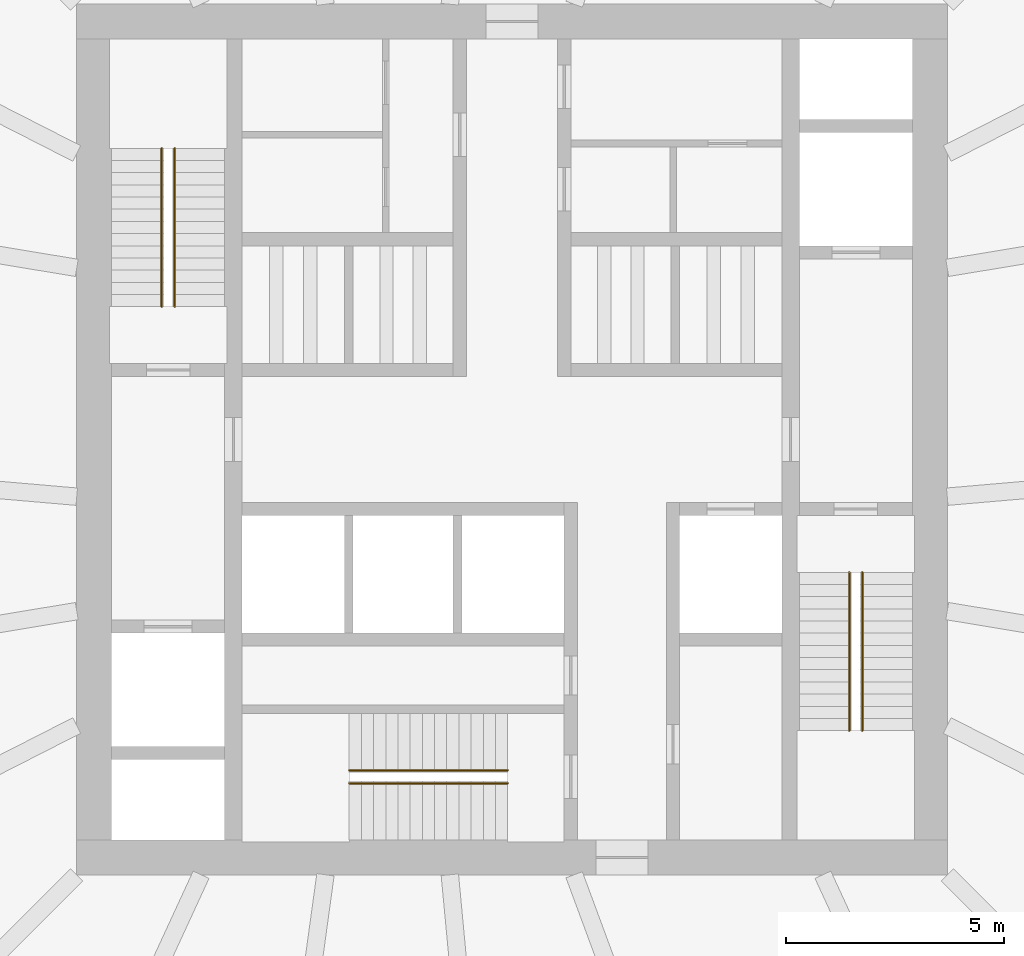
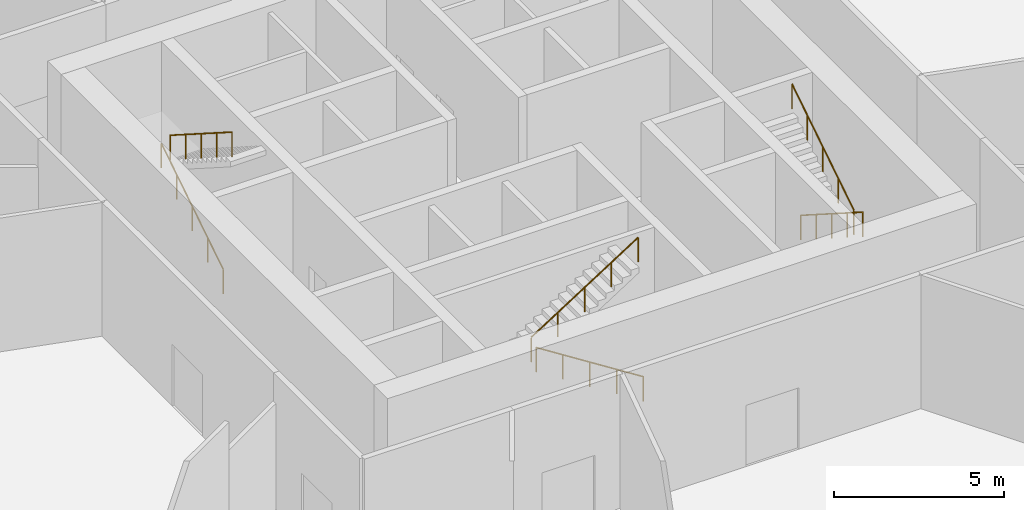
# One storey, part 16 of 16: 6 railings.
"""IFC4 building model written with IfcOpenShell, lengths in metres."""

from ifc_helpers import new_model, si_unit, direction, frame, origin, origin_2d, place, context, subcontext, project, spatial, circle, extrude, material, type_object, element, save


model = new_model("IFC4")

# Units and contexts
model_context = context("Model", 3, precision=1e-05, world=origin(), true_north=direction((0.0, 1.0)))
body_context = subcontext(model_context, "Body", "Model", "MODEL_VIEW")
ifc_project = project(units=[si_unit("LENGTHUNIT", "METRE"), si_unit("AREAUNIT", "SQUARE_METRE"), si_unit("VOLUMEUNIT", "CUBIC_METRE"), si_unit("PLANEANGLEUNIT", "RADIAN"), si_unit("MASSUNIT", "GRAM", prefix="KILO")], contexts=[model_context])

# Site, building, storey
site_placement = place(None, origin())
site = spatial("IfcSite", under=ifc_project, at=site_placement, CompositionType="ELEMENT")
building_placement = place(site_placement, origin())
building = spatial("IfcBuilding", under=site, at=building_placement, Name="Golbaran Civic Tower", CompositionType="ELEMENT")
storey_placement = place(building_placement, frame((0.0, 0.0, 85.0)))
storey = spatial("IfcBuildingStorey", under=building, at=storey_placement, Name="L20", CompositionType="ELEMENT", Elevation=85.0)

# Railings
ifc_material = material(Name="Stainless steel", Category="steel")
railing_type = type_object("IfcRailingType", Name="STAIR HANDRAIL 900", PredefinedType="HANDRAIL", material=ifc_material)
railing_1_placement = place(storey_placement, frame((-8.050048828125, 3.050048828125, 0.178466796875)))
element("IfcRailing", 1, at=railing_1_placement, inside=storey, type_object=railing_type, Name="Stair S1 handrail flight 1 L20", PredefinedType="HANDRAIL", context=body_context, shape_type="SweptSolid", body=[
    extrude(circle(Radius=0.02392578125, at=origin_2d()), frame((0.0, 0.0, 0.8759765625), z_axis=(0.0, 0.843111507901, 0.53773877045), x_axis=(-1.0, 0.0, 0.0)), (0.0, 0.0, 1.0), 4.317138671875),
    extrude(circle(Radius=0.02099609375, at=origin_2d()), origin(), (0.0, 0.0, 1.0), 0.851806640625),
    extrude(circle(Radius=0.02099609375, at=origin_2d()), frame((0.0, 0.909912109375, 0.580322265625)), (0.0, 0.0, 1.0), 0.851806640625),
    extrude(circle(Radius=0.02099609375, at=origin_2d()), frame((0.0, 1.81982421875, 1.16064453125)), (0.0, 0.0, 1.0), 0.851806640625),
    extrude(circle(Radius=0.02099609375, at=origin_2d()), frame((0.0, 2.72998046875, 1.7412109375)), (0.0, 0.0, 1.0), 0.851806640625),
    extrude(circle(Radius=0.02099609375, at=origin_2d()), frame((0.0, 3.639892578125, 2.321533203125)), (0.0, 0.0, 1.0), 0.851806640625),
])
for number, where, name in (
    (2, (-7.75, 6.68994140625, 2.678466796875), "Stair S1 handrail flight 2 L20"),
    (3, (8.050048828125, -3.050048828125, 0.178466796875), "Stair S2 handrail flight 1 L20"),
):
    element("IfcRailing", number, at=place(storey_placement, frame(where)), inside=storey, type_object=railing_type, Name=name, PredefinedType="HANDRAIL", context=body_context, shape_type="SweptSolid", body=[
        extrude(circle(Radius=0.02392578125, at=origin_2d()), frame((0.0, 0.0, 0.8759765625), z_axis=(0.0, -0.843111507901, 0.53773877045), x_axis=(1.0, 0.0, 0.0)), (0.0, 0.0, 1.0), 4.317138671875),
        extrude(circle(Radius=0.02099609375, at=origin_2d()), origin(), (0.0, 0.0, 1.0), 0.851806640625),
        extrude(circle(Radius=0.02099609375, at=origin_2d()), frame((0.0, -0.909912109375, 0.580322265625)), (0.0, 0.0, 1.0), 0.851806640625),
        extrude(circle(Radius=0.02099609375, at=origin_2d()), frame((0.0, -1.81982421875, 1.16064453125)), (0.0, 0.0, 1.0), 0.851806640625),
        extrude(circle(Radius=0.02099609375, at=origin_2d()), frame((0.0, -2.72998046875, 1.7412109375)), (0.0, 0.0, 1.0), 0.851806640625),
        extrude(circle(Radius=0.02099609375, at=origin_2d()), frame((0.0, -3.639892578125, 2.321533203125)), (0.0, 0.0, 1.0), 0.851806640625),
    ])
railing_2_placement = place(storey_placement, frame((7.75, -6.68994140625, 2.678466796875)))
element("IfcRailing", 4, at=railing_2_placement, inside=storey, type_object=railing_type, Name="Stair S2 handrail flight 2 L20", PredefinedType="HANDRAIL", context=body_context, shape_type="SweptSolid", body=[
    extrude(circle(Radius=0.02392578125, at=origin_2d()), frame((0.0, 0.0, 0.8759765625), z_axis=(0.0, 0.843111507901, 0.53773877045), x_axis=(-1.0, 0.0, 0.0)), (0.0, 0.0, 1.0), 4.317138671875),
    extrude(circle(Radius=0.02099609375, at=origin_2d()), origin(), (0.0, 0.0, 1.0), 0.851806640625),
    extrude(circle(Radius=0.02099609375, at=origin_2d()), frame((0.0, 0.909912109375, 0.580322265625)), (0.0, 0.0, 1.0), 0.851806640625),
    extrude(circle(Radius=0.02099609375, at=origin_2d()), frame((0.0, 1.81982421875, 1.16064453125)), (0.0, 0.0, 1.0), 0.851806640625),
    extrude(circle(Radius=0.02099609375, at=origin_2d()), frame((0.0, 2.72998046875, 1.7412109375)), (0.0, 0.0, 1.0), 0.851806640625),
    extrude(circle(Radius=0.02099609375, at=origin_2d()), frame((0.0, 3.639892578125, 2.321533203125)), (0.0, 0.0, 1.0), 0.851806640625),
])
railing_3_placement = place(storey_placement, frame((-0.10009765625, -7.89990234375, 0.178466796875)))
element("IfcRailing", 5, at=railing_3_placement, inside=storey, type_object=railing_type, Name="Stair S3 handrail flight 1 L20", PredefinedType="HANDRAIL", context=body_context, shape_type="SweptSolid", body=[
    extrude(circle(Radius=0.02392578125, at=origin_2d()), frame((0.0, 0.0, 0.8759765625), z_axis=(-0.843111507901, 0.0, 0.53773877045), x_axis=(0.0, -1.0, 0.0)), (0.0, 0.0, 1.0), 4.317138671875),
    extrude(circle(Radius=0.02099609375, at=origin_2d()), origin(), (0.0, 0.0, 1.0), 0.851806640625),
    extrude(circle(Radius=0.02099609375, at=origin_2d()), frame((-0.909912109375, 0.0, 0.580322265625)), (0.0, 0.0, 1.0), 0.851806640625),
    extrude(circle(Radius=0.02099609375, at=origin_2d()), frame((-1.81982421875, 0.0, 1.16064453125)), (0.0, 0.0, 1.0), 0.851806640625),
    extrude(circle(Radius=0.02099609375, at=origin_2d()), frame((-2.72998046875, 0.0, 1.7412109375)), (0.0, 0.0, 1.0), 0.851806640625),
    extrude(circle(Radius=0.02099609375, at=origin_2d()), frame((-3.639892578125, 0.0, 2.321533203125)), (0.0, 0.0, 1.0), 0.851806640625),
])
railing_4_placement = place(storey_placement, frame((-3.739990234375, -7.60009765625, 2.678466796875)))
element("IfcRailing", 6, at=railing_4_placement, inside=storey, type_object=railing_type, Name="Stair S3 handrail flight 2 L20", PredefinedType="HANDRAIL", context=body_context, shape_type="SweptSolid", body=[
    extrude(circle(Radius=0.02392578125, at=origin_2d()), frame((0.0, 0.0, 0.8759765625), z_axis=(0.843111507901, 0.0, 0.53773877045), x_axis=(0.0, 1.0, 0.0)), (0.0, 0.0, 1.0), 4.317138671875),
    extrude(circle(Radius=0.02099609375, at=origin_2d()), origin(), (0.0, 0.0, 1.0), 0.851806640625),
    extrude(circle(Radius=0.02099609375, at=origin_2d()), frame((0.909912109375, 0.0, 0.580322265625)), (0.0, 0.0, 1.0), 0.851806640625),
    extrude(circle(Radius=0.02099609375, at=origin_2d()), frame((1.81982421875, 0.0, 1.16064453125)), (0.0, 0.0, 1.0), 0.851806640625),
    extrude(circle(Radius=0.02099609375, at=origin_2d()), frame((2.72998046875, 0.0, 1.7412109375)), (0.0, 0.0, 1.0), 0.851806640625),
    extrude(circle(Radius=0.02099609375, at=origin_2d()), frame((3.639892578125, 0.0, 2.321533203125)), (0.0, 0.0, 1.0), 0.851806640625),
])

save(model, "model.ifc")
